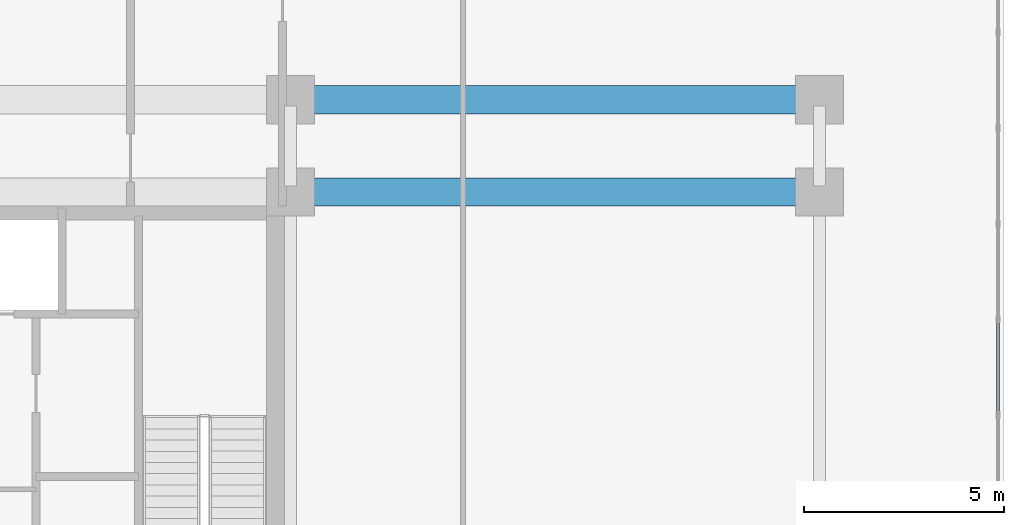
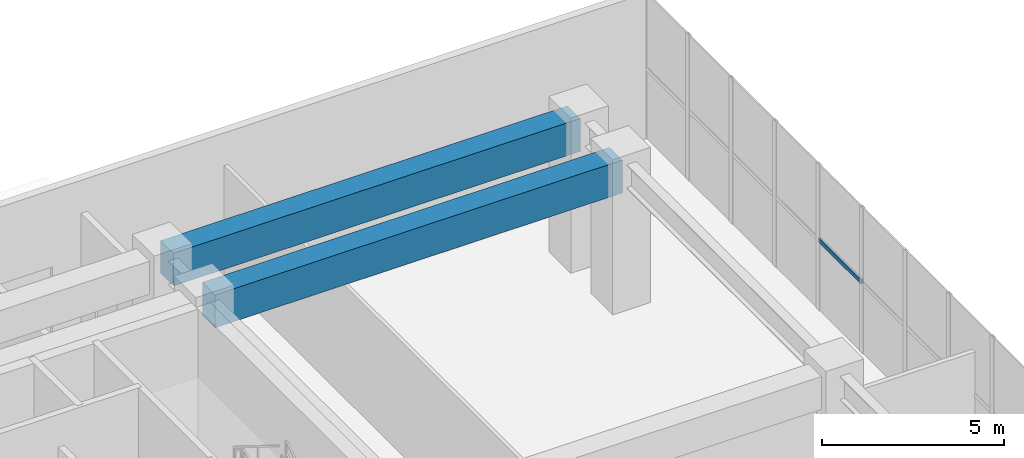
# One storey, part 27 of 40: 2 beams, 1 member, 1 element without a shape of its own.
"""IFC4 building model written with IfcOpenShell, lengths in metres."""

from ifc_helpers import new_model, si_unit, direction, frame, origin, origin_2d, place, context, subcontext, project, spatial, rectangle, hollow_rectangle, extrude, source, transform, mapped, material, material_profile, profile_set, type_object, element, aggregate, save


model = new_model("IFC4")

# Units and contexts
model_context = context("Model", 3, precision=1e-05, world=origin(), true_north=direction((0.0, 1.0)))
body_context = subcontext(model_context, "Body", "Model", "MODEL_VIEW")
ifc_project = project(units=[si_unit("LENGTHUNIT", "METRE"), si_unit("AREAUNIT", "SQUARE_METRE"), si_unit("VOLUMEUNIT", "CUBIC_METRE"), si_unit("PLANEANGLEUNIT", "RADIAN"), si_unit("MASSUNIT", "GRAM", prefix="KILO")], contexts=[model_context])

# Site, building, storey
site_placement = place(None, origin())
site = spatial("IfcSite", under=ifc_project, at=site_placement, CompositionType="ELEMENT")
building_placement = place(site_placement, origin())
building = spatial("IfcBuilding", under=site, at=building_placement, Name="Trelvane Seafront Commons", CompositionType="ELEMENT")
storey_placement = place(building_placement, origin())
storey = spatial("IfcBuildingStorey", under=building, at=storey_placement, Name="L00", CompositionType="ELEMENT", Elevation=0.0)

# Beams
ifc_material_1 = material(Name="Concrete C50/60", Category="concrete")
ifc_material_profile_1 = material_profile(ifc_material_1, rectangle(XDim=0.699951171875, YDim=1.10009765625, at=origin_2d()), Name="RC-700x1100")
ifc_profile_set_1 = profile_set([ifc_material_profile_1], Name="Concrete C50/60")
beam_type = type_object("IfcBeamType", Name="STR-TBM-RC700x1100", PredefinedType="T_BEAM", material=ifc_profile_set_1)
shared_shape_1 = source(origin(), body_context, "Body", "SweptSolid", [
    extrude(rectangle(XDim=0.699951171875, YDim=1.10009765625, at=origin_2d()), origin(), (0.0, 0.0, 1.0), 12.900146484375),
])
for number, where, z_axis, x_axis, name in (
    (1, (58.949951171875, 45.10009765625, 4.330078125), (1.0, 0.0, 0.0), (0.0, 1.0, 0.0), "L00 Primary Girder G-24"),
    (2, (58.949951171875, 47.39990234375, 4.330078125), (1.0, 0.0, 0.0), (0.0, 1.0, 0.0), "L00 Primary Girder G-30"),
):
    element("IfcBeam", number, at=place(storey_placement, frame(where, z_axis=z_axis, x_axis=x_axis)), inside=storey, type_object=beam_type, Name=name, PredefinedType="T_BEAM", context=body_context, shape_type="MappedRepresentation", body=[
        mapped(shared_shape_1, transform((0.0, 0.0, 0.0), x_axis=(1.0, 0.0, 0.0), y_axis=(0.0, 1.0, 0.0), z_axis=(0.0, 0.0, 1.0), scale=1.0)),
    ])

# Curtain wall, member
ifc_material_2 = material(Name="Anodised pale-silver aluminium", Category="aluminium")
curtain_wall_type = type_object("IfcCurtainWallType", Name="ARCH-CW4-SKYLOBBY", PredefinedType="NOTDEFINED", material=ifc_material_2)
curtain_wall_placement = place(storey_placement, origin())
curtain_wall = element("IfcCurtainWall", 3, at=curtain_wall_placement, inside=storey, type_object=curtain_wall_type, Name="CW-L00-0005", PredefinedType="NOTDEFINED")
ifc_material_profile_2 = material_profile(ifc_material_2, hollow_rectangle(XDim=0.074951171875, YDim=0.139892578125, WallThickness=0.00390625, at=origin_2d()), Name="TRAN-75x140x4")
ifc_profile_set_2 = profile_set([ifc_material_profile_2], Name="Anodised pale-silver aluminium")
member_type = type_object("IfcMemberType", Name="ARCH-CW-TRAN-140", PredefinedType="USERDEFINED", material=ifc_profile_set_2)
shared_shape_2 = source(origin(), body_context, "Body", "SweptSolid", [
    extrude(hollow_rectangle(XDim=0.074951171875, YDim=0.139892578125, WallThickness=0.00390625, at=origin_2d()), origin(), (0.0, 0.0, 1.0), 2.36279296875),
])
member_placement = place(storey_placement, frame((76.449951171875, 41.909912109375, 2.342041015625), z_axis=(0.0, -1.0, 0.0), x_axis=(1.0, 0.0, 0.0)))
member = element("IfcMember", 4, at=member_placement, type_object=member_type, Name="CW-L00-0005-T04", ObjectType="TRANSOM", PredefinedType="USERDEFINED", context=body_context, shape_type="MappedRepresentation", body=[
    mapped(shared_shape_2, transform((0.0, 0.0, 0.0), x_axis=(1.0, 0.0, 0.0), y_axis=(0.0, 1.0, 0.0), z_axis=(0.0, 0.0, 1.0), scale=1.0)),
])
aggregate(curtain_wall, [member])

save(model, "model.ifc")
